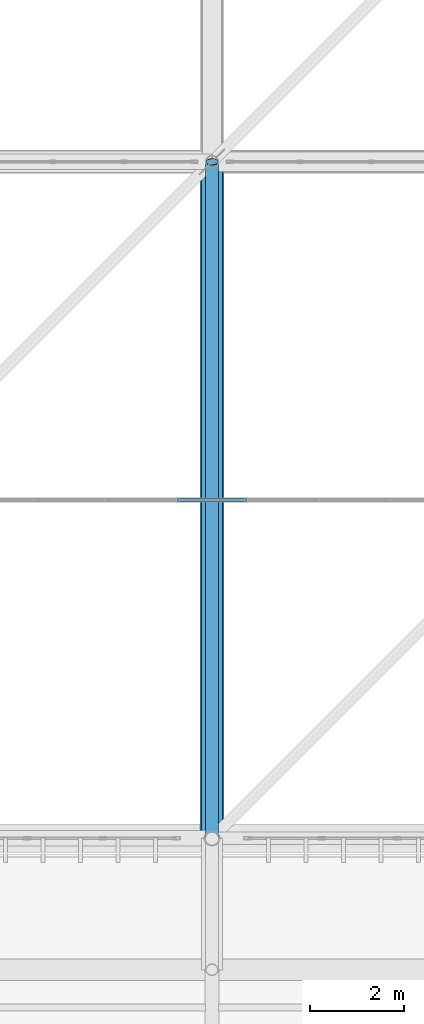
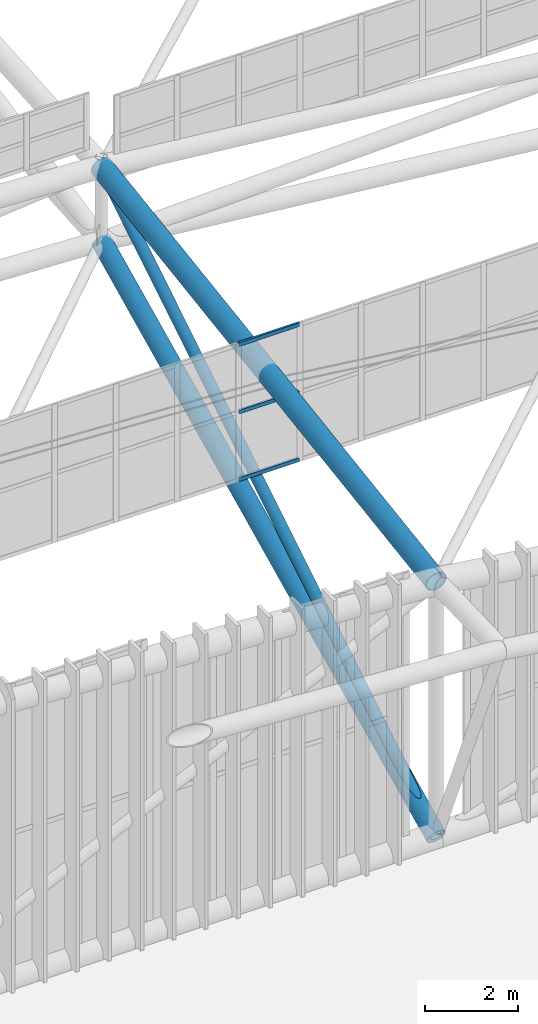
# One storey, part 101 of 397: 4 members, 2 beams, 1 element without a shape of its own.
"""IFC4 building model written with IfcOpenShell, lengths in metres."""

from ifc_helpers import new_model, si_unit, direction, frame, origin, origin_2d, place, context, subcontext, project, spatial, hollow_rectangle, hollow_circle, extrude, material, material_profile, profile_set, type_object, element, aggregate, save


model = new_model("IFC4")

# Units and contexts
model_context = context("Model", 3, precision=1e-05, world=origin(), true_north=direction((0.0, 1.0)))
body_context = subcontext(model_context, "Body", "Model", "MODEL_VIEW")
ifc_project = project(units=[si_unit("LENGTHUNIT", "METRE"), si_unit("AREAUNIT", "SQUARE_METRE"), si_unit("VOLUMEUNIT", "CUBIC_METRE"), si_unit("PLANEANGLEUNIT", "RADIAN"), si_unit("MASSUNIT", "GRAM", prefix="KILO")], contexts=[model_context])

# Site, building, storey
site_placement = place(None, origin())
site = spatial("IfcSite", under=ifc_project, at=site_placement, CompositionType="ELEMENT")
building_placement = place(site_placement, origin())
building = spatial("IfcBuilding", under=site, at=building_placement, Name="Qandorah Velis Arena", CompositionType="ELEMENT")
storey_placement = place(building_placement, frame((0.0, 0.0, 27.5)))
storey = spatial("IfcBuildingStorey", under=building, at=storey_placement, Name="RF", CompositionType="ELEMENT", Elevation=27.5)

# Curtain wall, members
ifc_material_1 = material(Name="Solar-control low-E double glazing", Category="glass")
curtain_wall_type = type_object("IfcCurtainWallType", Name="ARC-CW-SYS23", PredefinedType="USERDEFINED", material=ifc_material_1)
curtain_wall_placement = place(storey_placement, origin())
curtain_wall = element("IfcCurtainWall", 1, at=curtain_wall_placement, inside=storey, type_object=curtain_wall_type, Name="Unitised curtain wall MON-3-5", ObjectType="UNITISED CURTAIN WALL", PredefinedType="USERDEFINED")
ifc_material_2 = material(Name="Champagne-bronze anodized aluminium 6063-T6", Category="aluminium")
ifc_material_profile_1 = material_profile(ifc_material_2, hollow_rectangle(XDim=0.054931640625, YDim=0.10009765625, WallThickness=0.0029296875, at=origin_2d()), Name="ALU TRANSOM 55x100")
ifc_profile_set_1 = profile_set([ifc_material_profile_1], Name="Champagne-bronze anodized aluminium 6063-T6")
member_type_1 = type_object("IfcMemberType", Name="ARC-CWT-100", PredefinedType="USERDEFINED", material=ifc_profile_set_1)
member_1_placement = place(storey_placement, frame((85.654296875, 21.60009765625, 5.380126953125), z_axis=(1.0, 0.0, 0.0), x_axis=(0.0, 1.0, 0.0)))
member_1 = element("IfcMember", 2, at=member_1_placement, type_object=member_type_1, Name="CW23 transom 5.1", ObjectType="TRANSOM", PredefinedType="USERDEFINED", context=body_context, shape_type="SweptSolid", body=[
    extrude(hollow_rectangle(XDim=0.054931640625, YDim=0.10009765625, WallThickness=0.0029296875, at=origin_2d()), origin(), (0.0, 0.0, 1.0), 1.4912109375),
])
member_2_placement = place(storey_placement, frame((85.654296875, 21.60009765625, 7.152587890625), z_axis=(1.0, 0.0, 0.0), x_axis=(0.0, 1.0, 0.0)))
member_2 = element("IfcMember", 3, at=member_2_placement, type_object=member_type_1, Name="CW23 transom 5.2", ObjectType="TRANSOM", PredefinedType="USERDEFINED", context=body_context, shape_type="SweptSolid", body=[
    extrude(hollow_rectangle(XDim=0.054931640625, YDim=0.10009765625, WallThickness=0.0029296875, at=origin_2d()), origin(), (0.0, 0.0, 1.0), 1.4912109375),
])
member_3_placement = place(storey_placement, frame((85.654296875, 21.60009765625, 8.92529296875), z_axis=(1.0, 0.0, 0.0), x_axis=(0.0, 1.0, 0.0)))
member_3 = element("IfcMember", 4, at=member_3_placement, type_object=member_type_1, Name="CW23 transom 5.3", ObjectType="TRANSOM", PredefinedType="USERDEFINED", context=body_context, shape_type="SweptSolid", body=[
    extrude(hollow_rectangle(XDim=0.054931640625, YDim=0.10009765625, WallThickness=0.0029296875, at=origin_2d()), origin(), (0.0, 0.0, 1.0), 1.4912109375),
])
aggregate(curtain_wall, [member_1, member_2, member_3])

# Beams
ifc_material_3 = material(Name="Steel S355", Category="steel")
ifc_material_profile_2 = material_profile(ifc_material_3, hollow_circle(Radius=0.228515625, WallThickness=0.01611328125, at=origin_2d()), Name="CHS 457x16")
ifc_profile_set_2 = profile_set([ifc_material_profile_2], Name="Steel S355")
beam_type_1 = type_object("IfcBeamType", Name="STR-SFC-CHS457X16", PredefinedType="USERDEFINED", material=ifc_profile_set_2)
beam_1_placement = place(storey_placement, frame((86.39990234375, 14.39990234375, 0.10009765625), z_axis=(0.0, 0.901587688, 0.432596394861), x_axis=(-1.0, 0.0, 0.0)))
element("IfcBeam", 5, at=beam_1_placement, inside=storey, type_object=beam_type_1, Name="Space frame roof truss bottom chord Y 5.0", ObjectType="ROOF TRUSS", PredefinedType="USERDEFINED", context=body_context, shape_type="SweptSolid", body=[
    extrude(hollow_circle(Radius=0.228515625, WallThickness=0.01611328125, at=origin_2d()), origin(), (0.0, 0.0, 1.0), 15.971923828125),
])
ifc_material_profile_3 = material_profile(ifc_material_3, hollow_circle(Radius=0.25390625, WallThickness=0.02001953125, at=origin_2d()), Name="CHS 508x20")
ifc_profile_set_3 = profile_set([ifc_material_profile_3], Name="Steel S355")
beam_type_2 = type_object("IfcBeamType", Name="STR-SFC-CHS508X20", PredefinedType="USERDEFINED", material=ifc_profile_set_3)
beam_2_placement = place(storey_placement, frame((86.39990234375, 14.39990234375, 6.79931640625), z_axis=(0.0, 0.988935000034, 0.148349471548), x_axis=(-1.0, 0.0, 0.0)))
element("IfcBeam", 6, at=beam_2_placement, inside=storey, type_object=beam_type_2, Name="Space frame roof truss top chord Y 5.0", ObjectType="ROOF TRUSS", PredefinedType="USERDEFINED", context=body_context, shape_type="SweptSolid", body=[
    extrude(hollow_circle(Radius=0.25390625, WallThickness=0.02001953125, at=origin_2d()), origin(), (0.0, 0.0, 1.0), 14.561279296875),
])

# Member
ifc_material_profile_4 = material_profile(ifc_material_3, hollow_circle(Radius=0.136474609375, WallThickness=0.012451171875, at=origin_2d()), Name="CHS 273x12.5")
ifc_profile_set_4 = profile_set([ifc_material_profile_4], Name="Steel S355")
member_type_2 = type_object("IfcMemberType", Name="STR-SFD-CHS273X12", PredefinedType="STRUT", material=ifc_profile_set_4)
member_4_placement = place(storey_placement, frame((86.39990234375, 14.39990234375, 0.10009765625), z_axis=(0.0, 0.851717806726, 0.524000742086), x_axis=(-1.0, 0.0, 0.0)))
element("IfcMember", 7, at=member_4_placement, inside=storey, type_object=member_type_2, Name="Space frame roof diagonal Y 5.0", PredefinedType="STRUT", context=body_context, shape_type="SweptSolid", body=[
    extrude(hollow_circle(Radius=0.136474609375, WallThickness=0.012451171875, at=origin_2d()), origin(), (0.0, 0.0, 1.0), 16.9072265625),
])

save(model, "model.ifc")
